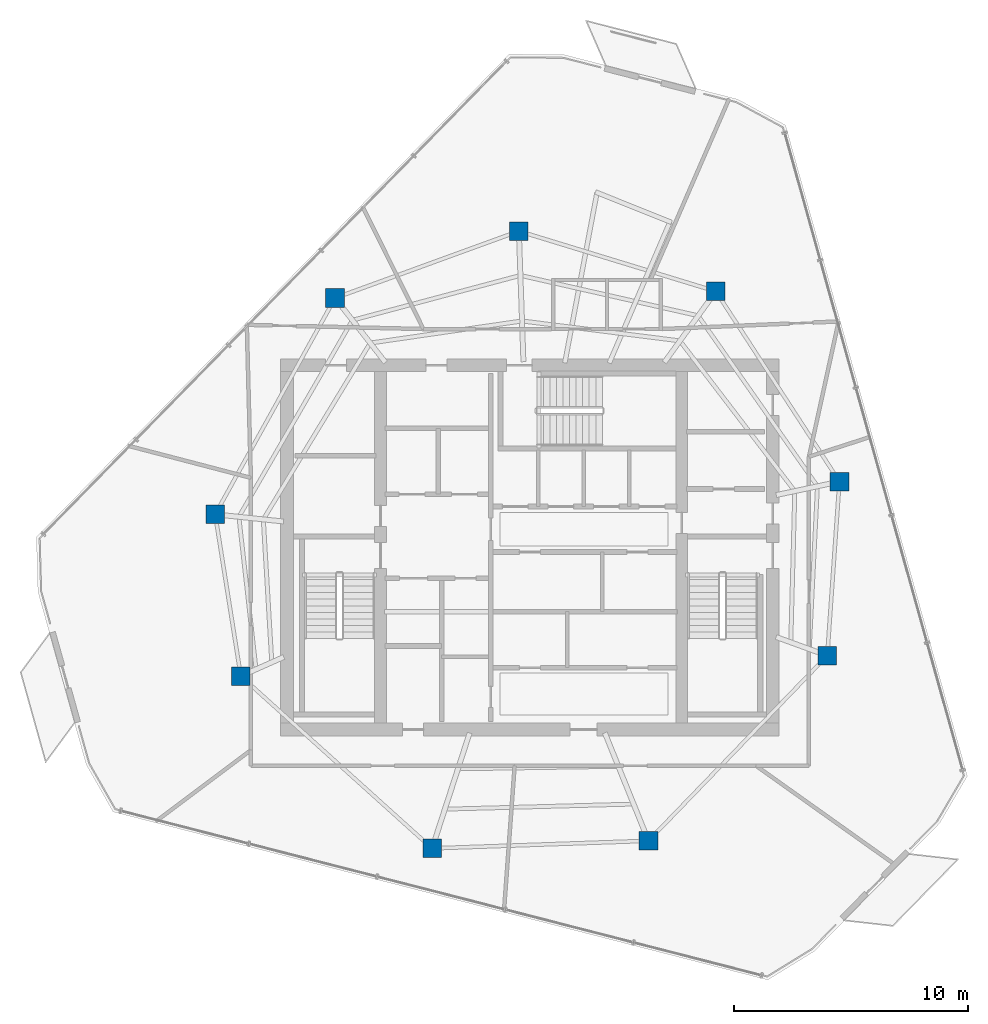
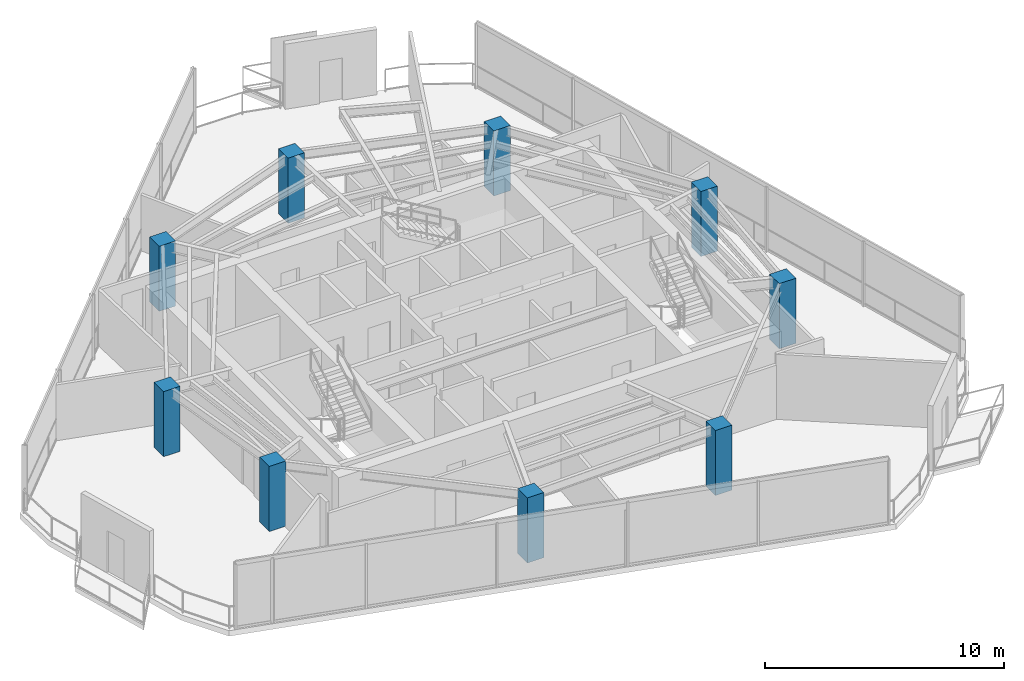
# One storey, part 1 of 18: 9 columns.
"""IFC4 building model written with IfcOpenShell, lengths in metres."""

from ifc_helpers import new_model, si_unit, direction, frame, origin, origin_2d, place, context, subcontext, project, spatial, rectangle, extrude, material, material_profile, profile_set, type_object, element, save


model = new_model("IFC4")

# Units and contexts
model_context = context("Model", 3, precision=1e-05, world=origin(), true_north=direction((0.0, 1.0)))
body_context = subcontext(model_context, "Body", "Model", "MODEL_VIEW")
ifc_project = project(units=[si_unit("LENGTHUNIT", "METRE"), si_unit("AREAUNIT", "SQUARE_METRE"), si_unit("VOLUMEUNIT", "CUBIC_METRE"), si_unit("PLANEANGLEUNIT", "RADIAN"), si_unit("MASSUNIT", "GRAM", prefix="KILO")], contexts=[model_context])

# Site, building, storey
site_placement = place(None, origin())
site = spatial("IfcSite", under=ifc_project, at=site_placement, CompositionType="ELEMENT")
building_placement = place(site_placement, origin())
building = spatial("IfcBuilding", under=site, at=building_placement, Name="Qarnah Convention Tower", CompositionType="ELEMENT")
storey_placement = place(building_placement, frame((0.0, 0.0, 239.10009765625)))
storey = spatial("IfcBuildingStorey", under=building, at=storey_placement, Name="L64", CompositionType="ELEMENT", Elevation=239.10009765625)

# Columns
ifc_material = material(Name="Concrete C50/60", Category="concrete")
ifc_material_profile = material_profile(ifc_material, rectangle(XDim=0.800048828125, YDim=0.800048828125, at=origin_2d()), Name="RC-COL-800X800")
ifc_profile_set = profile_set([ifc_material_profile], Name="Concrete C50/60")
column_type = type_object("IfcColumnType", Name="COL-Z5-800", PredefinedType="COLUMN", material=ifc_profile_set)
for number, where, z_axis, x_axis, name in (
    (1, (50.4541015625, 29.217041015625, 0.0), (0.0, 0.0, 1.0), (1.0, 0.0, 0.0), "L64 plumb column PC-Z5-01"),
    (2, (45.1640625, 37.362060546875, 0.0), (0.0, 0.0, 1.0), (1.0, 0.0, 0.0), "L64 plumb column PC-Z5-02"),
    (3, (36.72705078125, 39.94189453125, 0.0), (0.0, 0.0, 1.0), (1.0, 0.0, 0.0), "L64 plumb column PC-Z5-03"),
    (4, (28.85791015625, 37.077880859375, 0.0), (0.0, 0.0, 1.0), (1.0, 0.0, 0.0), "L64 plumb column PC-Z5-04"),
    (5, (23.72412109375, 27.81591796875, 0.0), (0.0, 0.0, 1.0), (1.0, 0.0, 0.0), "L64 plumb column PC-Z5-05"),
    (6, (24.821044921875, 20.888916015625, 0.0), (0.0, 0.0, 1.0), (1.0, 0.0, 0.0), "L64 plumb column PC-Z5-06"),
    (7, (33.012939453125, 13.512939453125, 0.0), (0.0, 0.0, 1.0), (1.0, 0.0, 0.0), "L64 plumb column PC-Z5-07"),
    (8, (42.27587890625, 13.8369140625, 0.0), (0.0, 0.0, 1.0), (1.0, 0.0, 0.0), "L64 plumb column PC-Z5-08"),
    (9, (49.93310546875, 21.76611328125, 0.0), (0.0, 0.0, 1.0), (1.0, 0.0, 0.0), "L64 plumb column PC-Z5-09"),
):
    element("IfcColumn", number, at=place(storey_placement, frame(where, z_axis=z_axis, x_axis=x_axis)), inside=storey, type_object=column_type, Name=name, PredefinedType="COLUMN", context=body_context, shape_type="SweptSolid", body=[
        extrude(rectangle(XDim=0.800048828125, YDim=0.800048828125, at=origin_2d()), origin(), (0.0, 0.0, 1.0), 3.31982421875),
    ])

save(model, "model.ifc")
